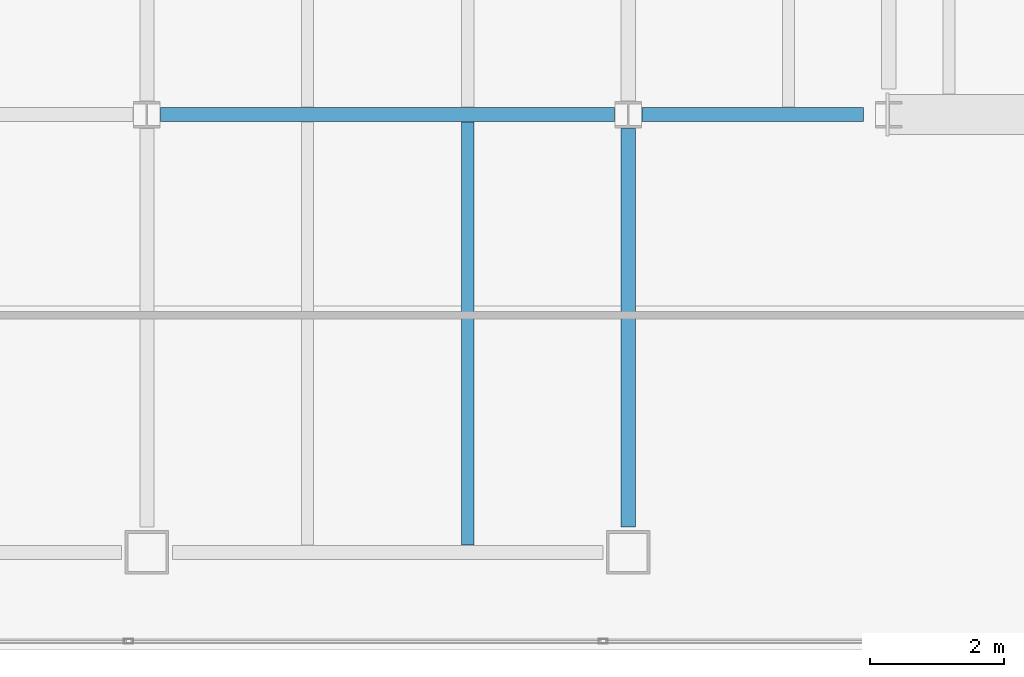
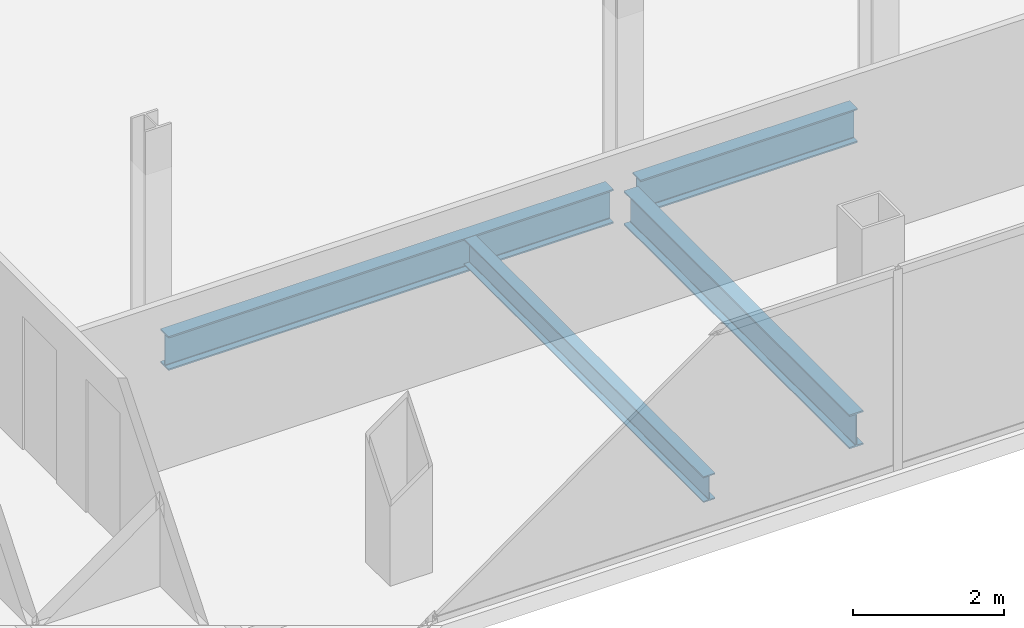
# One storey, part 13 of 24: 4 beams.
"""IFC4 building model written with IfcOpenShell, lengths in metres."""

from ifc_helpers import new_model, si_unit, direction, frame, origin, origin_2d, place, context, subcontext, project, spatial, i_section, extrude, material, material_profile, profile_set, type_object, element, save


model = new_model("IFC4")

# Units and contexts
model_context = context("Model", 3, precision=1e-05, world=origin(), true_north=direction((0.0, 1.0)))
body_context = subcontext(model_context, "Body", "Model", "MODEL_VIEW")
ifc_project = project(units=[si_unit("LENGTHUNIT", "METRE"), si_unit("AREAUNIT", "SQUARE_METRE"), si_unit("VOLUMEUNIT", "CUBIC_METRE"), si_unit("PLANEANGLEUNIT", "RADIAN"), si_unit("MASSUNIT", "GRAM", prefix="KILO")], contexts=[model_context])

# Site, building, storey
site_placement = place(None, origin())
site = spatial("IfcSite", under=ifc_project, at=site_placement, CompositionType="ELEMENT")
building_placement = place(site_placement, origin())
building = spatial("IfcBuilding", under=site, at=building_placement, Name="Cobrela Telecom Tower", CompositionType="ELEMENT")
storey_placement = place(building_placement, frame((0.0, 0.0, 241.14990234375)))
storey = spatial("IfcBuildingStorey", under=building, at=storey_placement, Name="L62", CompositionType="ELEMENT", Elevation=241.14990234375)

# Beams
ifc_material = material(Name="Steel ASTM A992 Grade 50", Category="steel")
ifc_material_profile_1 = material_profile(ifc_material, i_section(OverallWidth=0.212890625, OverallDepth=0.549072265625, WebThickness=0.0146484375, FlangeThickness=0.023681640625, FilletRadius=0.013916015625, at=origin_2d()), Name="W21X93")
ifc_profile_set_1 = profile_set([ifc_material_profile_1], Name="Steel ASTM A992 Grade 50")
beam_type_1 = type_object("IfcBeamType", Name="BM-GIRD-08", PredefinedType="USERDEFINED", material=ifc_profile_set_1)
beam_1_placement = place(storey_placement, frame((29.00439453125, 14.39990234375, -0.534423828125), z_axis=(1.0, 0.0, 0.0), x_axis=(0.0, 1.0, 0.0)))
element("IfcBeam", 1, at=beam_1_placement, inside=storey, type_object=beam_type_1, Name="L62 Primary Girder X07", ObjectType="GIRDER", PredefinedType="USERDEFINED", context=body_context, shape_type="SweptSolid", body=[
    extrude(i_section(OverallWidth=0.212890625, OverallDepth=0.549072265625, WebThickness=0.0146484375, FlangeThickness=0.023681640625, FilletRadius=0.013916015625, at=origin_2d()), origin(), (0.0, 0.0, 1.0), 6.791015625),
])
beam_2_placement = place(storey_placement, frame((36.20458984375, 14.39990234375, -0.534423828125), z_axis=(1.0, 0.0, 0.0), x_axis=(0.0, 1.0, 0.0)))
element("IfcBeam", 2, at=beam_2_placement, inside=storey, type_object=beam_type_1, Name="L62 Primary Girder X08", ObjectType="GIRDER", PredefinedType="USERDEFINED", context=body_context, shape_type="SweptSolid", body=[
    extrude(i_section(OverallWidth=0.212890625, OverallDepth=0.549072265625, WebThickness=0.0146484375, FlangeThickness=0.023681640625, FilletRadius=0.013916015625, at=origin_2d()), origin(), (0.0, 0.0, 1.0), 3.3154296875),
])
beam_3_placement = place(storey_placement, frame((36.0, 8.22998046875, -0.534423828125), z_axis=(0.0, 1.0, 0.0), x_axis=(-1.0, 0.0, 0.0)))
element("IfcBeam", 3, at=beam_3_placement, inside=storey, type_object=beam_type_1, Name="L62 Primary Girder Y29", ObjectType="GIRDER", PredefinedType="USERDEFINED", context=body_context, shape_type="SweptSolid", body=[
    extrude(i_section(OverallWidth=0.212890625, OverallDepth=0.549072265625, WebThickness=0.0146484375, FlangeThickness=0.023681640625, FilletRadius=0.013916015625, at=origin_2d()), origin(), (0.0, 0.0, 1.0), 5.965576171875),
])
ifc_material_profile_2 = material_profile(ifc_material, i_section(OverallWidth=0.179931640625, OverallDepth=0.4169921875, WebThickness=0.010986328125, FlangeThickness=0.01806640625, FilletRadius=0.011962890625, at=origin_2d()), Name="W16X57")
ifc_profile_set_2 = profile_set([ifc_material_profile_2], Name="Steel ASTM A992 Grade 50")
beam_type_2 = type_object("IfcBeamType", Name="BM-JOIST-04", PredefinedType="JOIST", material=ifc_profile_set_2)
beam_4_placement = place(storey_placement, frame((33.60009765625, 7.96142578125, -0.468505859375), z_axis=(0.0, 1.0, 0.0), x_axis=(-1.0, 0.0, 0.0)))
element("IfcBeam", 4, at=beam_4_placement, inside=storey, type_object=beam_type_2, Name="L62 Secondary Composite Floor Beam J13", PredefinedType="JOIST", context=body_context, shape_type="SweptSolid", body=[
    extrude(i_section(OverallWidth=0.179931640625, OverallDepth=0.4169921875, WebThickness=0.010986328125, FlangeThickness=0.01806640625, FilletRadius=0.011962890625, at=origin_2d()), origin(), (0.0, 0.0, 1.0), 6.3271484375),
])

save(model, "model.ifc")
